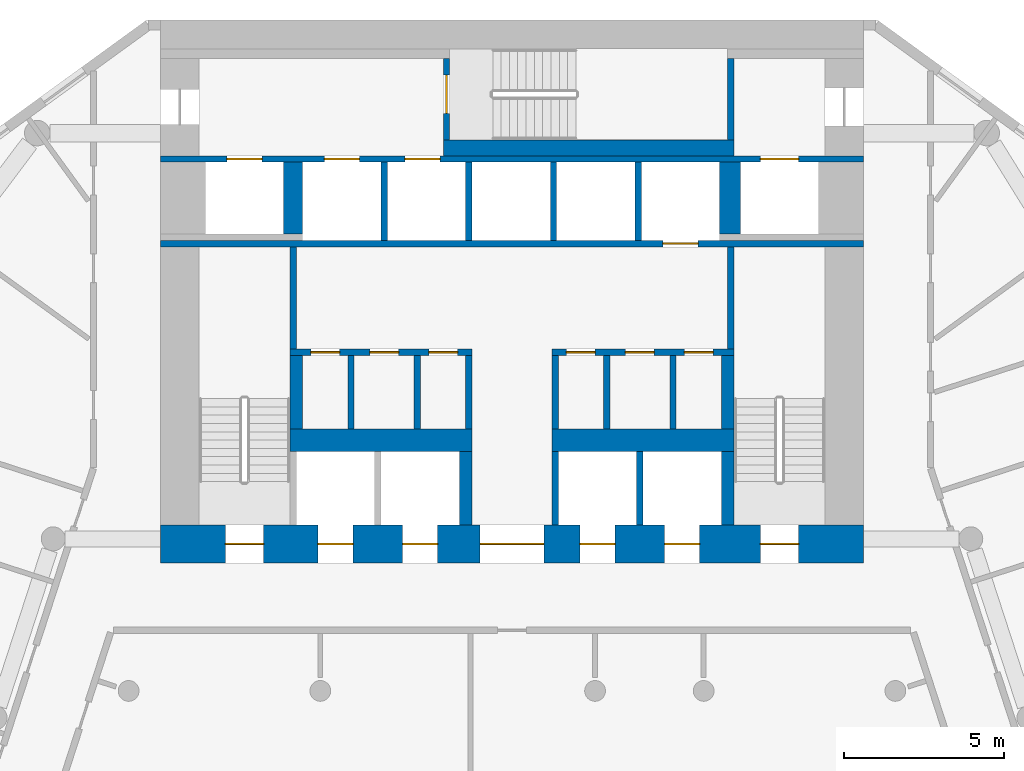
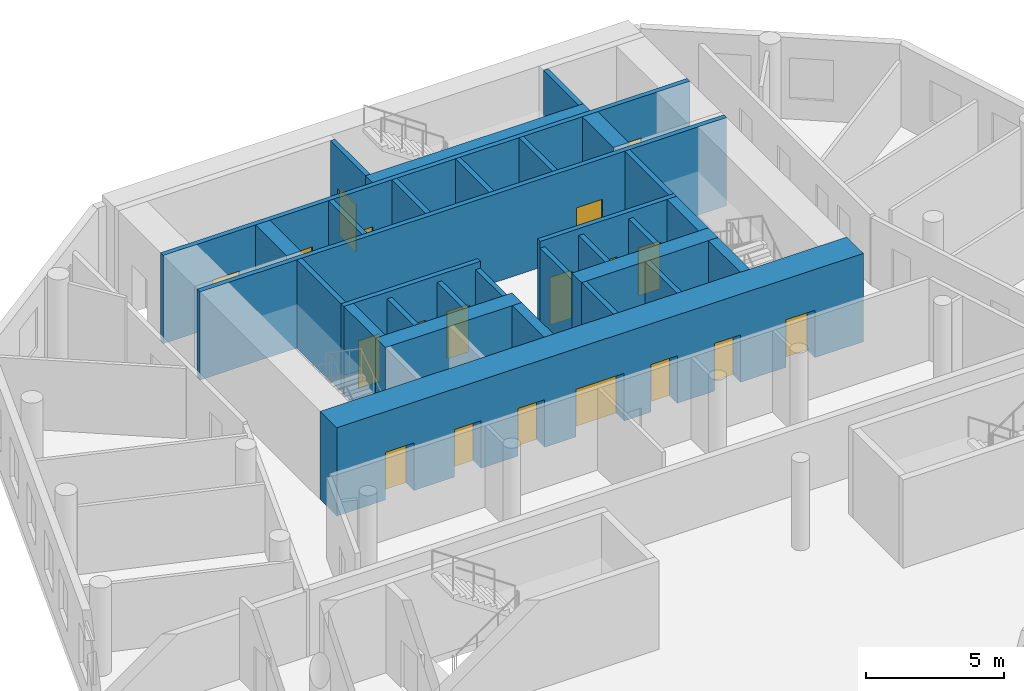
# One storey, part 5 of 9: 30 walls, 19 doors, 19 openings.
"""IFC4 building model written with IfcOpenShell, lengths in metres."""

import ifcopenshell
import ifcopenshell.guid

model = None  # the IFC model being written
_history = None  # IfcOwnerHistory: only IFC2X3 demands one
_inside = {}  # id of a spatial element -> (the spatial element, [elements in it])
_under = {}  # id of a project, library or spatial element -> (it, [spatial elements below it])
_declared = {}  # id of a project -> (the project, [libraries it declares])
_typed = {}  # id of a type object -> (the type object, [elements of that type])
_made_of = {}  # id of a material, layer set ... -> (it, [elements and type objects made of it])


def new_model(schema):
    """Start an empty IFC model of exactly this schema.

    Asked for "IFC4X3", IfcOpenShell would pick the latest addendum, in which some entities
    have other attributes; the version numbers below select the first issue.
    IFC2X3 requires an IfcOwnerHistory on every rooted entity: one is made here for all.
    """
    global model, _history
    if schema == "IFC4X3":
        model = ifcopenshell.file(schema_version=(4, 3, 0, 0))
    else:
        model = ifcopenshell.file(schema=schema)
    _inside.clear()
    _under.clear()
    _declared.clear()
    _typed.clear()
    _made_of.clear()
    _history = None
    if model.schema == "IFC2X3":
        org = make("IfcOrganization", Name="unknown")
        user = make(
            "IfcPersonAndOrganization",
            ThePerson=make("IfcPerson", FamilyName="unknown"),
            TheOrganization=org,
        )
        app = make(
            "IfcApplication",
            ApplicationDeveloper=org,
            Version="unknown",
            ApplicationFullName="unknown",
            ApplicationIdentifier="unknown",
        )
        _history = make(
            "IfcOwnerHistory",
            OwningUser=user,
            OwningApplication=app,
            ChangeAction="ADDED",
            CreationDate=0,
        )
    return model


def make(cls, **values):
    """One entity of the class cls with the attributes given. An attribute that is None is left unset."""
    return model.create_entity(
        cls, **{name: value for name, value in values.items() if value is not None}
    )


def rooted(cls, **values):
    """An entity with a GlobalId (a new one), such as an element, a storey or a relation."""
    return make(cls, GlobalId=ifcopenshell.guid.new(), OwnerHistory=_history, **values)


def si_unit(unit_type, name, prefix=None):
    """IfcSIUnit, for example si_unit("LENGTHUNIT", "METRE", prefix="MILLI")."""
    return make("IfcSIUnit", UnitType=unit_type, Prefix=prefix, Name=name)


def assignment(units):
    """IfcUnitAssignment: the units of a project."""
    return None if units is None else make("IfcUnitAssignment", Units=units)


def point(xyz):
    """IfcCartesianPoint."""
    return None if xyz is None else make("IfcCartesianPoint", Coordinates=xyz)


def direction(xyz):
    """IfcDirection."""
    return None if xyz is None else make("IfcDirection", DirectionRatios=xyz)


def frame(location, z_axis=None, x_axis=None):
    """IfcAxis2Placement3D, a coordinate frame: its origin and axes. An axis left out is left unset."""
    return make(
        "IfcAxis2Placement3D",
        Location=point(location),
        Axis=direction(z_axis),
        RefDirection=direction(x_axis),
    )


def frame_2d(location, x_axis=None):
    """IfcAxis2Placement2D, a coordinate frame in the plane: its origin and x axis."""
    return make(
        "IfcAxis2Placement2D", Location=point(location), RefDirection=direction(x_axis)
    )


def origin():
    """The frame at (0, 0, 0) with its axes left unset."""
    return frame((0.0, 0.0, 0.0))


def place(relative_to, where):
    """IfcLocalPlacement: puts the frame where relative to a parent placement (None: the world)."""
    return make(
        "IfcLocalPlacement", PlacementRelTo=relative_to, RelativePlacement=where
    )


def context(
    kind, dimensions, precision=None, world=None, true_north=None, identifier=None
):
    """IfcGeometricRepresentationContext, for example the 3D "Model" context."""
    return make(
        "IfcGeometricRepresentationContext",
        ContextIdentifier=identifier,
        ContextType=kind,
        CoordinateSpaceDimension=dimensions,
        Precision=precision,
        WorldCoordinateSystem=world,
        TrueNorth=true_north,
    )


def subcontext(parent, identifier, kind, view, scale=None):
    """IfcGeometricRepresentationSubContext, for example "Body" below "Model"."""
    return make(
        "IfcGeometricRepresentationSubContext",
        ContextIdentifier=identifier,
        ContextType=kind,
        ParentContext=parent,
        TargetScale=scale,
        TargetView=view,
    )


def project(units=None, contexts=None):
    """IfcProject with its units and contexts."""
    return rooted(
        "IfcProject",
        Name="project",
        RepresentationContexts=contexts,
        UnitsInContext=assignment(units),
    )


def spatial(cls, under=None, at=None, **own):
    """A site, building, storey or space (cls), placed at a placement, below another one or the project."""
    s = rooted(cls, ObjectPlacement=at, **own)
    if under is not None:
        _under.setdefault(under.id(), (under, []))[1].append(s)
    return s


def profile(cls, at=None, kind="AREA", **sizes):
    """A parametric profile (cls). Its sizes go by their IFC names, for example OverallWidth=200.0."""
    return make(cls, ProfileType=kind, Position=at, **sizes)


def rectangle(**sizes):
    """IfcRectangleProfileDef."""
    return profile("IfcRectangleProfileDef", **sizes)


def extrude(swept, where, along, depth):
    """IfcExtrudedAreaSolid: the profile swept, set in the frame where, extruded along a direction by depth."""
    return make(
        "IfcExtrudedAreaSolid",
        SweptArea=swept,
        Position=where,
        ExtrudedDirection=direction(along),
        Depth=depth,
    )


def shape(context_of_items, identifier, shape_type, items):
    """IfcShapeRepresentation: the items that make up one representation, for example the "Body"."""
    return make(
        "IfcShapeRepresentation",
        ContextOfItems=context_of_items,
        RepresentationIdentifier=identifier,
        RepresentationType=shape_type,
        Items=items,
    )


def material(Name=None, Category=None):
    """IfcMaterial."""
    return make("IfcMaterial", Name=Name, Category=Category)


def layer(
    of_material, thickness, ventilated=None, Name=None, Category=None, Priority=None
):
    """IfcMaterialLayer: one layer of a wall or slab, of a material (None: an air gap)."""
    return make(
        "IfcMaterialLayer",
        Material=of_material,
        LayerThickness=thickness,
        IsVentilated=ventilated,
        Name=Name,
        Category=Category,
        Priority=Priority,
    )


def layer_set(layers, Name=None):
    """IfcMaterialLayerSet."""
    return make("IfcMaterialLayerSet", MaterialLayers=layers, LayerSetName=Name)


def made_of(thing, what):
    """Note that an element or type object is made of a material, layer set ...; save() writes the relation."""
    if what is not None:
        _made_of.setdefault(what.id(), (what, []))[1].append(thing)
    return thing


def type_object(cls, material=None, **own):
    """A type object (cls), such as IfcWallType, which elements share."""
    return made_of(rooted(cls, **own), material)


def element(
    cls,
    number,
    at=None,
    inside=None,
    cuts=None,
    type_object=None,
    material=None,
    context=None,
    identifier="Body",
    shape_type=None,
    held_by="IfcProductDefinitionShape",
    body=None,
    shapes=None,
    **own,
):
    """One element of the class cls, such as IfcWall. Its Tag is "e" and its number.

    at: its placement. inside: the storey or other place that contains it. cuts: it is an
    opening in that element (IfcRelVoidsElement). A single representation is given by context,
    identifier, shape_type and body (its items); several are given by shapes. held_by: the class
    of the entity that holds the representations. save() writes the other relations.
    """
    e = rooted(cls, Tag="e%d" % number, ObjectPlacement=at, **own)
    if body is not None:
        shapes = [shape(context, identifier, shape_type, body)]
    if shapes is not None:
        e.Representation = make(held_by, Representations=shapes)
    if inside is not None:
        _inside.setdefault(inside.id(), (inside, []))[1].append(e)
    if cuts is not None:
        rooted(
            "IfcRelVoidsElement", RelatingBuildingElement=cuts, RelatedOpeningElement=e
        )
    if type_object is not None:
        _typed.setdefault(type_object.id(), (type_object, []))[1].append(e)
    return made_of(e, material)


def fill(opening, filler):
    """IfcRelFillsElement: the door or window that sits in an opening."""
    return rooted(
        "IfcRelFillsElement",
        RelatingOpeningElement=opening,
        RelatedBuildingElement=filler,
    )


def aggregate(whole, parts):
    """IfcRelAggregates: a whole, such as a stair, and the parts it consists of."""
    return rooted("IfcRelAggregates", RelatingObject=whole, RelatedObjects=parts)


def save(model, path):
    """Write the relations noted so far, then the file.

    IfcRelAggregates (storeys below a building ...), IfcRelContainedInSpatialStructure (elements
    in a storey), IfcRelDefinesByType, IfcRelAssociatesMaterial and IfcRelDeclares: one each for
    every whole, place, type object, material and project.
    """
    for whole, parts in _under.values():
        aggregate(whole, parts)
    for where, things in _inside.values():
        rooted(
            "IfcRelContainedInSpatialStructure",
            RelatedElements=things,
            RelatingStructure=where,
        )
    for kind, things in _typed.values():
        rooted("IfcRelDefinesByType", RelatedObjects=things, RelatingType=kind)
    for what, things in _made_of.values():
        rooted("IfcRelAssociatesMaterial", RelatedObjects=things, RelatingMaterial=what)
    for by, libraries in _declared.values():
        rooted("IfcRelDeclares", RelatingContext=by, RelatedDefinitions=libraries)
    model.write(path)


model = new_model("IFC4")

# Units and contexts
model_context = context("Model", 3, precision=1e-05, world=origin(), true_north=direction((0.0, 1.0)))
body_context = subcontext(model_context, "Body", "Model", "MODEL_VIEW")
ifc_project = project(units=[si_unit("LENGTHUNIT", "METRE"), si_unit("AREAUNIT", "SQUARE_METRE"), si_unit("VOLUMEUNIT", "CUBIC_METRE"), si_unit("PLANEANGLEUNIT", "RADIAN"), si_unit("MASSUNIT", "GRAM", prefix="KILO")], contexts=[model_context])

# Site, building, storey
site_placement = place(None, origin())
site = spatial("IfcSite", under=ifc_project, at=site_placement, CompositionType="ELEMENT")
building_placement = place(site_placement, origin())
building = spatial("IfcBuilding", under=site, at=building_placement, Name="White Candle Pilgrim Tower", CompositionType="ELEMENT")
storey_placement = place(building_placement, frame((0.0, 0.0, 58.5)))
storey = spatial("IfcBuildingStorey", under=building, at=storey_placement, Name="L11", CompositionType="ELEMENT", Elevation=58.5)

# Wall, openings, doors
ifc_material_1 = material(Name="Concrete C70/85", Category="concrete")
ifc_layer_1 = layer(ifc_material_1, 0.199951171875)
ifc_layer_set_1 = layer_set([ifc_layer_1], Name="Core wall 200 mm Concrete C70/85")
wall_type_1 = type_object("IfcWallType", Name="Core wall 200 mm Concrete C70/85", PredefinedType="SHEAR", material=ifc_layer_set_1)
wall_1_placement = place(storey_placement, frame((59.0, 83.64990234375, 0.0), z_axis=(0.0, 0.0, 1.0), x_axis=(1.0, 0.0, 0.0)))
wall_1 = element("IfcWall", 1, at=wall_1_placement, inside=storey, type_object=wall_type_1, Name="WL-L11-C45", PredefinedType="SHEAR", context=body_context, shape_type="SweptSolid", body=[
    extrude(rectangle(XDim=22.0, YDim=0.199951171875, at=frame_2d((11.0, 0.0))), origin(), (0.0, 0.0, 1.0), 3.89990234375),
])
opening_1_placement = place(wall_1_placement, frame((5.125, 0.0, 0.0)))
opening_1 = element("IfcOpeningElement", 2, at=opening_1_placement, cuts=wall_1, Name="Opening T03-011", PredefinedType="OPENING", context=body_context, shape_type="SweptSolid", body=[
    extrude(rectangle(XDim=1.10009765625, YDim=2.10009765625, at=frame_2d((0.550048828125, 1.050048828125))), frame((0.0, 0.10986328125, 0.0), z_axis=(0.0, -1.0, 0.0), x_axis=(1.0, 0.0, 0.0)), (0.0, 0.0, 1.0), 0.219970703125),
])
opening_2_placement = place(wall_1_placement, frame((7.64990234375, 0.0, 0.0)))
opening_2 = element("IfcOpeningElement", 3, at=opening_2_placement, cuts=wall_1, Name="Opening T03-012", PredefinedType="OPENING", context=body_context, shape_type="SweptSolid", body=[
    extrude(rectangle(XDim=1.10009765625, YDim=2.10009765625, at=frame_2d((0.550048828125, 1.050048828125))), frame((0.0, 0.10986328125, 0.0), z_axis=(0.0, -1.0, 0.0), x_axis=(1.0, 0.0, 0.0)), (0.0, 0.0, 1.0), 0.219970703125),
])
opening_3_placement = place(wall_1_placement, frame((18.77490234375, 0.0, 0.0)))
opening_3 = element("IfcOpeningElement", 4, at=opening_3_placement, cuts=wall_1, Name="Opening T03-018", PredefinedType="OPENING", context=body_context, shape_type="SweptSolid", body=[
    extrude(rectangle(XDim=1.199951171875, YDim=2.10009765625, at=frame_2d((0.60009765625, 1.050048828125))), frame((0.0, 0.10986328125, 0.0), z_axis=(0.0, -1.0, 0.0), x_axis=(1.0, 0.0, 0.0)), (0.0, 0.0, 1.0), 0.219970703125),
])
opening_4_placement = place(wall_1_placement, frame((2.074951171875, 0.0, 0.0)))
opening_4 = element("IfcOpeningElement", 5, at=opening_4_placement, cuts=wall_1, Name="Opening T03-019", PredefinedType="OPENING", context=body_context, shape_type="SweptSolid", body=[
    extrude(rectangle(XDim=1.10009765625, YDim=2.10009765625, at=frame_2d((0.550048828125, 1.050048828125))), frame((0.0, 0.10986328125, 0.0), z_axis=(0.0, -1.0, 0.0), x_axis=(1.0, 0.0, 0.0)), (0.0, 0.0, 1.0), 0.219970703125),
])
ifc_material_2 = material(Name="Stainless steel", Category="steel")
door_type_1 = type_object("IfcDoorType", Name="Lift landing door 1100 x 2100 EI 60", OperationType="DOUBLE_DOOR_SLIDING", PredefinedType="DOOR", material=ifc_material_2)
door_1_placement = place(opening_1_placement, origin())
door_1 = element("IfcDoor", 6, at=door_1_placement, inside=storey, type_object=door_type_1, Name="Door T03-011", OperationType="DOUBLE_DOOR_SLIDING", OverallHeight=2.10009765625, OverallWidth=1.10009765625, PredefinedType="DOOR", context=body_context, shape_type="SweptSolid", body=[
    extrude(rectangle(XDim=1.10009765625, YDim=2.10009765625, at=frame_2d((0.550048828125, 1.050048828125))), frame((0.0, 0.02490234375, 0.0), z_axis=(0.0, -1.0, 0.0), x_axis=(1.0, 0.0, 0.0)), (0.0, 0.0, 1.0), 0.050048828125),
])
fill(opening_1, door_1)
door_2_placement = place(opening_2_placement, origin())
door_2 = element("IfcDoor", 7, at=door_2_placement, inside=storey, type_object=door_type_1, Name="Door T03-012", OperationType="DOUBLE_DOOR_SLIDING", OverallHeight=2.10009765625, OverallWidth=1.10009765625, PredefinedType="DOOR", context=body_context, shape_type="SweptSolid", body=[
    extrude(rectangle(XDim=1.10009765625, YDim=2.10009765625, at=frame_2d((0.550048828125, 1.050048828125))), frame((0.0, 0.02490234375, 0.0), z_axis=(0.0, -1.0, 0.0), x_axis=(1.0, 0.0, 0.0)), (0.0, 0.0, 1.0), 0.050048828125),
])
fill(opening_2, door_2)
door_3_placement = place(opening_4_placement, origin())
door_3 = element("IfcDoor", 8, at=door_3_placement, inside=storey, type_object=door_type_1, Name="Door T03-019", OperationType="DOUBLE_DOOR_SLIDING", OverallHeight=2.10009765625, OverallWidth=1.10009765625, PredefinedType="DOOR", context=body_context, shape_type="SweptSolid", body=[
    extrude(rectangle(XDim=1.10009765625, YDim=2.10009765625, at=frame_2d((0.550048828125, 1.050048828125))), frame((0.0, 0.02490234375, 0.0), z_axis=(0.0, -1.0, 0.0), x_axis=(1.0, 0.0, 0.0)), (0.0, 0.0, 1.0), 0.050048828125),
])
fill(opening_4, door_3)
door_type_2 = type_object("IfcDoorType", Name="Lift landing door 1200 x 2100 E 60", OperationType="DOUBLE_DOOR_SLIDING", PredefinedType="DOOR", material=ifc_material_2)
door_4_placement = place(opening_3_placement, origin())
door_4 = element("IfcDoor", 9, at=door_4_placement, inside=storey, type_object=door_type_2, Name="Door T03-018", OperationType="DOUBLE_DOOR_SLIDING", OverallHeight=2.10009765625, OverallWidth=1.199951171875, PredefinedType="DOOR", context=body_context, shape_type="SweptSolid", body=[
    extrude(rectangle(XDim=1.199951171875, YDim=2.10009765625, at=frame_2d((0.60009765625, 1.050048828125))), frame((0.0, 0.02490234375, 0.0), z_axis=(0.0, -1.0, 0.0), x_axis=(1.0, 0.0, 0.0)), (0.0, 0.0, 1.0), 0.050048828125),
])
fill(opening_3, door_4)

# Walls
ifc_material_3 = material(Name="Gypsum board on steel studs", Category="steel")
ifc_layer_2 = layer(ifc_material_3, 0.199951171875)
ifc_layer_set_2 = layer_set([ifc_layer_2], Name="Lobby wall 200 mm EI 60")
wall_type_2 = type_object("IfcWallType", Name="Lobby wall 200 mm EI 60", PredefinedType="PARTITIONING", material=ifc_layer_set_2)
for number, where, z_axis, x_axis, name in (
    (10, (64.9599609375, 75.199951171875, 0.0), (0.0, 0.0, 1.0), (0.0, 1.0, 0.0), "WL-L11-C23"),
    (11, (67.0400390625, 75.199951171875, 0.0), (0.0, 0.0, 1.0), (0.0, 1.0, 0.0), "WL-L11-C24"),
    (12, (68.64990234375, 75.199951171875, 0.0), (0.0, 0.0, 1.0), (0.0, 1.0, 0.0), "WL-L11-C25"),
    (13, (71.35009765625, 75.199951171875, 0.0), (0.0, 0.0, 1.0), (0.0, 1.0, 0.0), "WL-L11-C26"),
    (14, (72.9599609375, 75.199951171875, 0.0), (0.0, 0.0, 1.0), (0.0, 1.0, 0.0), "WL-L11-C27"),
    (15, (75.0400390625, 75.199951171875, 0.0), (0.0, 0.0, 1.0), (0.0, 1.0, 0.0), "WL-L11-C28"),
):
    element("IfcWall", number, at=place(storey_placement, frame(where, z_axis=z_axis, x_axis=x_axis)), inside=storey, type_object=wall_type_2, Name=name, PredefinedType="PARTITIONING", context=body_context, shape_type="SweptSolid", body=[
        extrude(rectangle(XDim=2.300048828125, YDim=0.199951171875, at=frame_2d((1.14990234375, 0.0))), origin(), (0.0, 0.0, 1.0), 3.60009765625),
    ])
ifc_layer_3 = layer(ifc_material_1, 0.199951171875)
ifc_layer_set_3 = layer_set([ifc_layer_3], Name="Shaft wall 200 mm Concrete C70/85")
wall_type_3 = type_object("IfcWallType", Name="Shaft wall 200 mm Concrete C70/85", PredefinedType="SHEAR", material=ifc_layer_set_3)
for number, where, z_axis, x_axis, name in (
    (16, (71.35009765625, 72.199951171875, 0.0), (0.0, 0.0, 1.0), (0.0, 1.0, 0.0), "WL-L11-C16"),
    (17, (74.0, 72.199951171875, 0.0), (0.0, 0.0, 1.0), (0.0, 1.0, 0.0), "WL-L11-C17"),
):
    element("IfcWall", number, at=place(storey_placement, frame(where, z_axis=z_axis, x_axis=x_axis)), inside=storey, type_object=wall_type_3, Name=name, PredefinedType="SHEAR", context=body_context, shape_type="SweptSolid", body=[
        extrude(rectangle(XDim=2.300048828125, YDim=0.199951171875, at=frame_2d((1.14990234375, 0.0))), origin(), (0.0, 0.0, 1.0), 3.89990234375),
    ])
for number, where, z_axis, x_axis, name in (
    (18, (66.0, 81.10009765625, 0.0), (0.0, 0.0, 1.0), (0.0, 1.0, 0.0), "WL-L11-C36"),
    (19, (68.64990234375, 81.10009765625, 0.0), (0.0, 0.0, 1.0), (0.0, 1.0, 0.0), "WL-L11-C37"),
    (20, (71.300048828125, 81.10009765625, 0.0), (0.0, 0.0, 1.0), (0.0, 1.0, 0.0), "WL-L11-C38"),
    (21, (73.949951171875, 81.10009765625, 0.0), (0.0, 0.0, 1.0), (0.0, 1.0, 0.0), "WL-L11-C39"),
):
    element("IfcWall", number, at=place(storey_placement, frame(where, z_axis=z_axis, x_axis=x_axis)), inside=storey, type_object=wall_type_3, Name=name, PredefinedType="SHEAR", context=body_context, shape_type="SweptSolid", body=[
        extrude(rectangle(XDim=2.449951171875, YDim=0.199951171875, at=frame_2d((1.22509765625, 0.0))), origin(), (0.0, 0.0, 1.0), 3.89990234375),
    ])
ifc_layer_4 = layer(ifc_material_1, 0.39990234375)
ifc_layer_set_4 = layer_set([ifc_layer_4], Name="Shaft wall 400 mm Concrete C70/85")
wall_type_4 = type_object("IfcWallType", Name="Shaft wall 400 mm Concrete C70/85", PredefinedType="SHEAR", material=ifc_layer_set_4)
wall_2_placement = place(storey_placement, frame((68.550048828125, 72.199951171875, 0.0), z_axis=(0.0, 0.0, 1.0), x_axis=(0.0, 1.0, 0.0)))
element("IfcWall", 22, at=wall_2_placement, inside=storey, type_object=wall_type_4, Name="WL-L11-C15", PredefinedType="SHEAR", context=body_context, shape_type="SweptSolid", body=[
    extrude(rectangle(XDim=2.300048828125, YDim=0.39990234375, at=frame_2d((1.14990234375, 0.0))), origin(), (0.0, 0.0, 1.0), 3.89990234375),
])
ifc_layer_5 = layer(ifc_material_1, 0.60009765625)
ifc_layer_set_5 = layer_set([ifc_layer_5], Name="Shaft wall 600 mm Concrete C70/85")
wall_type_5 = type_object("IfcWallType", Name="Shaft wall 600 mm Concrete C70/85", PredefinedType="SHEAR", material=ifc_layer_set_5)
wall_3_placement = place(storey_placement, frame((63.14990234375, 81.300048828125, 0.0), z_axis=(0.0, 0.0, 1.0), x_axis=(0.0, 1.0, 0.0)))
element("IfcWall", 23, at=wall_3_placement, inside=storey, type_object=wall_type_5, Name="WL-L11-C42", PredefinedType="SHEAR", context=body_context, shape_type="SweptSolid", body=[
    extrude(rectangle(XDim=2.25, YDim=0.60009765625, at=frame_2d((1.125, 0.0))), origin(), (0.0, 0.0, 1.0), 3.89990234375),
])
ifc_layer_6 = layer(ifc_material_1, 0.64990234375)
ifc_layer_set_6 = layer_set([ifc_layer_6], Name="Shaft wall 650 mm Concrete C70/85")
wall_type_6 = type_object("IfcWallType", Name="Shaft wall 650 mm Concrete C70/85", PredefinedType="SHEAR", material=ifc_layer_set_6)
wall_4_placement = place(storey_placement, frame((76.824951171875, 81.300048828125, 0.0), z_axis=(0.0, 0.0, 1.0), x_axis=(0.0, 1.0, 0.0)))
element("IfcWall", 24, at=wall_4_placement, inside=storey, type_object=wall_type_6, Name="WL-L11-C43", PredefinedType="SHEAR", context=body_context, shape_type="SweptSolid", body=[
    extrude(rectangle(XDim=2.25, YDim=0.64990234375, at=frame_2d((1.125, 0.0))), origin(), (0.0, 0.0, 1.0), 3.89990234375),
])

# Wall, openings, doors
ifc_layer_7 = layer(ifc_material_1, 1.199951171875)
ifc_layer_set_7 = layer_set([ifc_layer_7], Name="Stair shaft wall 1200 mm Concrete C70/85")
wall_type_7 = type_object("IfcWallType", Name="Stair shaft wall 1200 mm Concrete C70/85", PredefinedType="SHEAR", material=ifc_layer_set_7)
wall_5_placement = place(storey_placement, frame((59.0, 71.60009765625, 0.0), z_axis=(0.0, 0.0, 1.0), x_axis=(1.0, 0.0, 0.0)))
wall_5 = element("IfcWall", 25, at=wall_5_placement, inside=storey, type_object=wall_type_7, Name="WL-L11-C11", PredefinedType="SHEAR", context=body_context, shape_type="SweptSolid", body=[
    extrude(rectangle(XDim=22.0, YDim=1.199951171875, at=frame_2d((11.0, 0.0))), origin(), (0.0, 0.0, 1.0), 3.89990234375),
])
opening_5_placement = place(wall_5_placement, frame((2.02490234375, 0.0, 0.0)))
opening_5 = element("IfcOpeningElement", 26, at=opening_5_placement, cuts=wall_5, Name="Opening T03-001", PredefinedType="OPENING", context=body_context, shape_type="SweptSolid", body=[
    extrude(rectangle(XDim=1.199951171875, YDim=2.10009765625, at=frame_2d((0.60009765625, 1.050048828125))), frame((0.0, 0.60986328125, 0.0), z_axis=(0.0, -1.0, 0.0), x_axis=(1.0, 0.0, 0.0)), (0.0, 0.0, 1.0), 1.219970703125),
])
opening_6_placement = place(wall_5_placement, frame((18.77490234375, 0.0, 0.0)))
opening_6 = element("IfcOpeningElement", 27, at=opening_6_placement, cuts=wall_5, Name="Opening T03-002", PredefinedType="OPENING", context=body_context, shape_type="SweptSolid", body=[
    extrude(rectangle(XDim=1.199951171875, YDim=2.10009765625, at=frame_2d((0.60009765625, 1.050048828125))), frame((0.0, 0.60986328125, 0.0), z_axis=(0.0, -1.0, 0.0), x_axis=(1.0, 0.0, 0.0)), (0.0, 0.0, 1.0), 1.219970703125),
])
opening_7_placement = place(wall_5_placement, frame((10.0, 0.0, 0.0)))
opening_7 = element("IfcOpeningElement", 28, at=opening_7_placement, cuts=wall_5, Name="Opening T03-004", PredefinedType="OPENING", context=body_context, shape_type="SweptSolid", body=[
    extrude(rectangle(XDim=2.0, YDim=2.10009765625, at=frame_2d((1.0, 1.050048828125))), frame((0.0, 0.60986328125, 0.0), z_axis=(0.0, -1.0, 0.0), x_axis=(1.0, 0.0, 0.0)), (0.0, 0.0, 1.0), 1.219970703125),
])
opening_8_placement = place(wall_5_placement, frame((4.925048828125, 0.0, 0.0)))
opening_8 = element("IfcOpeningElement", 29, at=opening_8_placement, cuts=wall_5, Name="Opening T03-014", PredefinedType="OPENING", context=body_context, shape_type="SweptSolid", body=[
    extrude(rectangle(XDim=1.10009765625, YDim=2.10009765625, at=frame_2d((0.550048828125, 1.050048828125))), frame((0.0, 0.60986328125, 0.0), z_axis=(0.0, -1.0, 0.0), x_axis=(1.0, 0.0, 0.0)), (0.0, 0.0, 1.0), 1.219970703125),
])
opening_9_placement = place(wall_5_placement, frame((7.574951171875, 0.0, 0.0)))
opening_9 = element("IfcOpeningElement", 30, at=opening_9_placement, cuts=wall_5, Name="Opening T03-015", PredefinedType="OPENING", context=body_context, shape_type="SweptSolid", body=[
    extrude(rectangle(XDim=1.10009765625, YDim=2.10009765625, at=frame_2d((0.550048828125, 1.050048828125))), frame((0.0, 0.60986328125, 0.0), z_axis=(0.0, -1.0, 0.0), x_axis=(1.0, 0.0, 0.0)), (0.0, 0.0, 1.0), 1.219970703125),
])
opening_10_placement = place(wall_5_placement, frame((13.125, 0.0, 0.0)))
opening_10 = element("IfcOpeningElement", 31, at=opening_10_placement, cuts=wall_5, Name="Opening T03-016", PredefinedType="OPENING", context=body_context, shape_type="SweptSolid", body=[
    extrude(rectangle(XDim=1.10009765625, YDim=2.10009765625, at=frame_2d((0.550048828125, 1.050048828125))), frame((0.0, 0.60986328125, 0.0), z_axis=(0.0, -1.0, 0.0), x_axis=(1.0, 0.0, 0.0)), (0.0, 0.0, 1.0), 1.219970703125),
])
opening_11_placement = place(wall_5_placement, frame((15.77490234375, 0.0, 0.0)))
opening_11 = element("IfcOpeningElement", 32, at=opening_11_placement, cuts=wall_5, Name="Opening T03-017", PredefinedType="OPENING", context=body_context, shape_type="SweptSolid", body=[
    extrude(rectangle(XDim=1.10009765625, YDim=2.10009765625, at=frame_2d((0.550048828125, 1.050048828125))), frame((0.0, 0.60986328125, 0.0), z_axis=(0.0, -1.0, 0.0), x_axis=(1.0, 0.0, 0.0)), (0.0, 0.0, 1.0), 1.219970703125),
])
ifc_material_4 = material(Name="Steel door leaf", Category="steel")
door_type_3 = type_object("IfcDoorType", Name="Fire door 1200 x 2100 EI 60", OperationType="NOTDEFINED", PredefinedType="DOOR", material=ifc_material_4)
door_5_placement = place(opening_5_placement, frame((1.199951171875, 0.0, 0.0), z_axis=(0.0, 0.0, 1.0), x_axis=(-1.0, 0.0, 0.0)))
door_5 = element("IfcDoor", 33, at=door_5_placement, inside=storey, type_object=door_type_3, Name="Door T03-001", OperationType="SINGLE_SWING_RIGHT", OverallHeight=2.10009765625, OverallWidth=1.199951171875, PredefinedType="DOOR", context=body_context, shape_type="SweptSolid", body=[
    extrude(rectangle(XDim=1.199951171875, YDim=2.10009765625, at=frame_2d((0.60009765625, 1.050048828125))), frame((0.0, 0.02490234375, 0.0), z_axis=(0.0, -1.0, 0.0), x_axis=(1.0, 0.0, 0.0)), (0.0, 0.0, 1.0), 0.050048828125),
])
fill(opening_5, door_5)
door_6_placement = place(opening_6_placement, frame((1.199951171875, 0.0, 0.0), z_axis=(0.0, 0.0, 1.0), x_axis=(-1.0, 0.0, 0.0)))
door_6 = element("IfcDoor", 34, at=door_6_placement, inside=storey, type_object=door_type_3, Name="Door T03-002", OperationType="SINGLE_SWING_LEFT", OverallHeight=2.10009765625, OverallWidth=1.199951171875, PredefinedType="DOOR", context=body_context, shape_type="SweptSolid", body=[
    extrude(rectangle(XDim=1.199951171875, YDim=2.10009765625, at=frame_2d((0.60009765625, 1.050048828125))), frame((0.0, 0.02490234375, 0.0), z_axis=(0.0, -1.0, 0.0), x_axis=(1.0, 0.0, 0.0)), (0.0, 0.0, 1.0), 0.050048828125),
])
fill(opening_6, door_6)
door_type_4 = type_object("IfcDoorType", Name="Fire door 2000 x 2100 EI 60", OperationType="NOTDEFINED", PredefinedType="DOOR", material=ifc_material_4)
door_7_placement = place(opening_7_placement, frame((2.0, 0.0, 0.0), z_axis=(0.0, 0.0, 1.0), x_axis=(-1.0, 0.0, 0.0)))
door_7 = element("IfcDoor", 35, at=door_7_placement, inside=storey, type_object=door_type_4, Name="Door T03-004", OperationType="DOUBLE_DOOR_SINGLE_SWING", OverallHeight=2.10009765625, OverallWidth=2.0, PredefinedType="DOOR", context=body_context, shape_type="SweptSolid", body=[
    extrude(rectangle(XDim=2.0, YDim=2.10009765625, at=frame_2d((1.0, 1.050048828125))), frame((0.0, 0.02490234375, 0.0), z_axis=(0.0, -1.0, 0.0), x_axis=(1.0, 0.0, 0.0)), (0.0, 0.0, 1.0), 0.050048828125),
])
fill(opening_7, door_7)
door_type_5 = type_object("IfcDoorType", Name="Lift landing door 1100 x 2100 E 60", OperationType="DOUBLE_DOOR_SLIDING", PredefinedType="DOOR", material=ifc_material_2)
door_8_placement = place(opening_8_placement, origin())
door_8 = element("IfcDoor", 36, at=door_8_placement, inside=storey, type_object=door_type_5, Name="Door T03-014", OperationType="DOUBLE_DOOR_SLIDING", OverallHeight=2.10009765625, OverallWidth=1.10009765625, PredefinedType="DOOR", context=body_context, shape_type="SweptSolid", body=[
    extrude(rectangle(XDim=1.10009765625, YDim=2.10009765625, at=frame_2d((0.550048828125, 1.050048828125))), frame((0.0, 0.02490234375, 0.0), z_axis=(0.0, -1.0, 0.0), x_axis=(1.0, 0.0, 0.0)), (0.0, 0.0, 1.0), 0.050048828125),
])
fill(opening_8, door_8)
door_9_placement = place(opening_9_placement, origin())
door_9 = element("IfcDoor", 37, at=door_9_placement, inside=storey, type_object=door_type_5, Name="Door T03-015", OperationType="DOUBLE_DOOR_SLIDING", OverallHeight=2.10009765625, OverallWidth=1.10009765625, PredefinedType="DOOR", context=body_context, shape_type="SweptSolid", body=[
    extrude(rectangle(XDim=1.10009765625, YDim=2.10009765625, at=frame_2d((0.550048828125, 1.050048828125))), frame((0.0, 0.02490234375, 0.0), z_axis=(0.0, -1.0, 0.0), x_axis=(1.0, 0.0, 0.0)), (0.0, 0.0, 1.0), 0.050048828125),
])
fill(opening_9, door_9)
door_10_placement = place(opening_10_placement, origin())
door_10 = element("IfcDoor", 38, at=door_10_placement, inside=storey, type_object=door_type_5, Name="Door T03-016", OperationType="DOUBLE_DOOR_SLIDING", OverallHeight=2.10009765625, OverallWidth=1.10009765625, PredefinedType="DOOR", context=body_context, shape_type="SweptSolid", body=[
    extrude(rectangle(XDim=1.10009765625, YDim=2.10009765625, at=frame_2d((0.550048828125, 1.050048828125))), frame((0.0, 0.02490234375, 0.0), z_axis=(0.0, -1.0, 0.0), x_axis=(1.0, 0.0, 0.0)), (0.0, 0.0, 1.0), 0.050048828125),
])
fill(opening_10, door_10)
door_11_placement = place(opening_11_placement, origin())
door_11 = element("IfcDoor", 39, at=door_11_placement, inside=storey, type_object=door_type_5, Name="Door T03-017", OperationType="DOUBLE_DOOR_SLIDING", OverallHeight=2.10009765625, OverallWidth=1.10009765625, PredefinedType="DOOR", context=body_context, shape_type="SweptSolid", body=[
    extrude(rectangle(XDim=1.10009765625, YDim=2.10009765625, at=frame_2d((0.550048828125, 1.050048828125))), frame((0.0, 0.02490234375, 0.0), z_axis=(0.0, -1.0, 0.0), x_axis=(1.0, 0.0, 0.0)), (0.0, 0.0, 1.0), 0.050048828125),
])
fill(opening_11, door_11)

ifc_layer_8 = layer(ifc_material_1, 0.199951171875)
ifc_layer_set_8 = layer_set([ifc_layer_8], Name="Stair shaft wall 200 mm Concrete C70/85")
wall_type_8 = type_object("IfcWallType", Name="Stair shaft wall 200 mm Concrete C70/85", PredefinedType="SHEAR", material=ifc_layer_set_8)
wall_6_placement = place(storey_placement, frame((63.050048828125, 77.60009765625, 0.0), z_axis=(0.0, 0.0, 1.0), x_axis=(1.0, 0.0, 0.0)))
wall_6 = element("IfcWall", 40, at=wall_6_placement, inside=storey, type_object=wall_type_8, Name="WL-L11-C30", PredefinedType="SHEAR", context=body_context, shape_type="SweptSolid", body=[
    extrude(rectangle(XDim=5.699951171875, YDim=0.199951171875, at=frame_2d((2.85009765625, 0.0))), origin(), (0.0, 0.0, 1.0), 3.89990234375),
])
opening_12_placement = place(wall_6_placement, frame((0.655029296875, 0.0, 0.0)))
opening_12 = element("IfcOpeningElement", 41, at=opening_12_placement, cuts=wall_6, Name="Opening T03-020", PredefinedType="OPENING", context=body_context, shape_type="SweptSolid", body=[
    extrude(rectangle(XDim=0.89990234375, YDim=2.10009765625, at=frame_2d((0.449951171875, 1.050048828125))), frame((0.0, 0.10986328125, 0.0), z_axis=(0.0, -1.0, 0.0), x_axis=(1.0, 0.0, 0.0)), (0.0, 0.0, 1.0), 0.219970703125),
])
opening_13_placement = place(wall_6_placement, frame((2.5, 0.0, 0.0)))
opening_13 = element("IfcOpeningElement", 42, at=opening_13_placement, cuts=wall_6, Name="Opening T03-021", PredefinedType="OPENING", context=body_context, shape_type="SweptSolid", body=[
    extrude(rectangle(XDim=0.89990234375, YDim=2.10009765625, at=frame_2d((0.449951171875, 1.050048828125))), frame((0.0, 0.10986328125, 0.0), z_axis=(0.0, -1.0, 0.0), x_axis=(1.0, 0.0, 0.0)), (0.0, 0.0, 1.0), 0.219970703125),
])
opening_14_placement = place(wall_6_placement, frame((4.344970703125, 0.0, 0.0)))
opening_14 = element("IfcOpeningElement", 43, at=opening_14_placement, cuts=wall_6, Name="Opening T03-022", PredefinedType="OPENING", context=body_context, shape_type="SweptSolid", body=[
    extrude(rectangle(XDim=0.89990234375, YDim=2.10009765625, at=frame_2d((0.449951171875, 1.050048828125))), frame((0.0, 0.10986328125, 0.0), z_axis=(0.0, -1.0, 0.0), x_axis=(1.0, 0.0, 0.0)), (0.0, 0.0, 1.0), 0.219970703125),
])
door_type_6 = type_object("IfcDoorType", Name="Fire door 900 x 2100 EI 30", OperationType="NOTDEFINED", PredefinedType="DOOR", material=ifc_material_4)
door_12_placement = place(opening_12_placement, origin())
door_12 = element("IfcDoor", 44, at=door_12_placement, inside=storey, type_object=door_type_6, Name="Door T03-020", OperationType="SINGLE_SWING_RIGHT", OverallHeight=2.10009765625, OverallWidth=0.89990234375, PredefinedType="DOOR", context=body_context, shape_type="SweptSolid", body=[
    extrude(rectangle(XDim=0.89990234375, YDim=2.10009765625, at=frame_2d((0.449951171875, 1.050048828125))), frame((0.0, 0.02490234375, 0.0), z_axis=(0.0, -1.0, 0.0), x_axis=(1.0, 0.0, 0.0)), (0.0, 0.0, 1.0), 0.050048828125),
])
fill(opening_12, door_12)
door_13_placement = place(opening_13_placement, origin())
door_13 = element("IfcDoor", 45, at=door_13_placement, inside=storey, type_object=door_type_6, Name="Door T03-021", OperationType="SINGLE_SWING_LEFT", OverallHeight=2.10009765625, OverallWidth=0.89990234375, PredefinedType="DOOR", context=body_context, shape_type="SweptSolid", body=[
    extrude(rectangle(XDim=0.89990234375, YDim=2.10009765625, at=frame_2d((0.449951171875, 1.050048828125))), frame((0.0, 0.02490234375, 0.0), z_axis=(0.0, -1.0, 0.0), x_axis=(1.0, 0.0, 0.0)), (0.0, 0.0, 1.0), 0.050048828125),
])
fill(opening_13, door_13)
door_14_placement = place(opening_14_placement, origin())
door_14 = element("IfcDoor", 46, at=door_14_placement, inside=storey, type_object=door_type_6, Name="Door T03-022", OperationType="SINGLE_SWING_RIGHT", OverallHeight=2.10009765625, OverallWidth=0.89990234375, PredefinedType="DOOR", context=body_context, shape_type="SweptSolid", body=[
    extrude(rectangle(XDim=0.89990234375, YDim=2.10009765625, at=frame_2d((0.449951171875, 1.050048828125))), frame((0.0, 0.02490234375, 0.0), z_axis=(0.0, -1.0, 0.0), x_axis=(1.0, 0.0, 0.0)), (0.0, 0.0, 1.0), 0.050048828125),
])
fill(opening_14, door_14)

wall_7_placement = place(storey_placement, frame((71.25, 77.60009765625, 0.0), z_axis=(0.0, 0.0, 1.0), x_axis=(1.0, 0.0, 0.0)))
wall_7 = element("IfcWall", 47, at=wall_7_placement, inside=storey, type_object=wall_type_8, Name="WL-L11-C31", PredefinedType="SHEAR", context=body_context, shape_type="SweptSolid", body=[
    extrude(rectangle(XDim=5.699951171875, YDim=0.199951171875, at=frame_2d((2.85009765625, 0.0))), origin(), (0.0, 0.0, 1.0), 3.89990234375),
])
opening_15_placement = place(wall_7_placement, frame((0.455078125, 0.0, 0.0)))
opening_15 = element("IfcOpeningElement", 48, at=opening_15_placement, cuts=wall_7, Name="Opening T03-023", PredefinedType="OPENING", context=body_context, shape_type="SweptSolid", body=[
    extrude(rectangle(XDim=0.89990234375, YDim=2.10009765625, at=frame_2d((0.449951171875, 1.050048828125))), frame((0.0, 0.10986328125, 0.0), z_axis=(0.0, -1.0, 0.0), x_axis=(1.0, 0.0, 0.0)), (0.0, 0.0, 1.0), 0.219970703125),
])
opening_16_placement = place(wall_7_placement, frame((2.300048828125, 0.0, 0.0)))
opening_16 = element("IfcOpeningElement", 49, at=opening_16_placement, cuts=wall_7, Name="Opening T03-024", PredefinedType="OPENING", context=body_context, shape_type="SweptSolid", body=[
    extrude(rectangle(XDim=0.89990234375, YDim=2.10009765625, at=frame_2d((0.449951171875, 1.050048828125))), frame((0.0, 0.10986328125, 0.0), z_axis=(0.0, -1.0, 0.0), x_axis=(1.0, 0.0, 0.0)), (0.0, 0.0, 1.0), 0.219970703125),
])
opening_17_placement = place(wall_7_placement, frame((4.14501953125, 0.0, 0.0)))
opening_17 = element("IfcOpeningElement", 50, at=opening_17_placement, cuts=wall_7, Name="Opening T03-025", PredefinedType="OPENING", context=body_context, shape_type="SweptSolid", body=[
    extrude(rectangle(XDim=0.89990234375, YDim=2.10009765625, at=frame_2d((0.449951171875, 1.050048828125))), frame((0.0, 0.10986328125, 0.0), z_axis=(0.0, -1.0, 0.0), x_axis=(1.0, 0.0, 0.0)), (0.0, 0.0, 1.0), 0.219970703125),
])
door_15_placement = place(opening_15_placement, origin())
door_15 = element("IfcDoor", 51, at=door_15_placement, inside=storey, type_object=door_type_6, Name="Door T03-023", OperationType="SINGLE_SWING_LEFT", OverallHeight=2.10009765625, OverallWidth=0.89990234375, PredefinedType="DOOR", context=body_context, shape_type="SweptSolid", body=[
    extrude(rectangle(XDim=0.89990234375, YDim=2.10009765625, at=frame_2d((0.449951171875, 1.050048828125))), frame((0.0, 0.02490234375, 0.0), z_axis=(0.0, -1.0, 0.0), x_axis=(1.0, 0.0, 0.0)), (0.0, 0.0, 1.0), 0.050048828125),
])
fill(opening_15, door_15)
door_16_placement = place(opening_16_placement, origin())
door_16 = element("IfcDoor", 52, at=door_16_placement, inside=storey, type_object=door_type_6, Name="Door T03-024", OperationType="SINGLE_SWING_RIGHT", OverallHeight=2.10009765625, OverallWidth=0.89990234375, PredefinedType="DOOR", context=body_context, shape_type="SweptSolid", body=[
    extrude(rectangle(XDim=0.89990234375, YDim=2.10009765625, at=frame_2d((0.449951171875, 1.050048828125))), frame((0.0, 0.02490234375, 0.0), z_axis=(0.0, -1.0, 0.0), x_axis=(1.0, 0.0, 0.0)), (0.0, 0.0, 1.0), 0.050048828125),
])
fill(opening_16, door_16)
door_17_placement = place(opening_17_placement, origin())
door_17 = element("IfcDoor", 53, at=door_17_placement, inside=storey, type_object=door_type_6, Name="Door T03-025", OperationType="SINGLE_SWING_LEFT", OverallHeight=2.10009765625, OverallWidth=0.89990234375, PredefinedType="DOOR", context=body_context, shape_type="SweptSolid", body=[
    extrude(rectangle(XDim=0.89990234375, YDim=2.10009765625, at=frame_2d((0.449951171875, 1.050048828125))), frame((0.0, 0.02490234375, 0.0), z_axis=(0.0, -1.0, 0.0), x_axis=(1.0, 0.0, 0.0)), (0.0, 0.0, 1.0), 0.050048828125),
])
fill(opening_17, door_17)

# Walls
for number, where, z_axis, x_axis, name in (
    (54, (63.14990234375, 77.699951171875, 0.0), (0.0, 0.0, 1.0), (0.0, 1.0, 0.0), "WL-L11-C32"),
    (55, (76.85009765625, 77.699951171875, 0.0), (0.0, 0.0, 1.0), (0.0, 1.0, 0.0), "WL-L11-C33"),
):
    element("IfcWall", number, at=place(storey_placement, frame(where, z_axis=z_axis, x_axis=x_axis)), inside=storey, type_object=wall_type_8, Name=name, PredefinedType="SHEAR", context=body_context, shape_type="SweptSolid", body=[
        extrude(rectangle(XDim=3.199951171875, YDim=0.199951171875, at=frame_2d((1.60009765625, 0.0))), origin(), (0.0, 0.0, 1.0), 3.89990234375),
    ])

# Wall, opening, door
wall_8_placement = place(storey_placement, frame((59.0, 81.0, 0.0), z_axis=(0.0, 0.0, 1.0), x_axis=(1.0, 0.0, 0.0)))
wall_8 = element("IfcWall", 56, at=wall_8_placement, inside=storey, type_object=wall_type_8, Name="WL-L11-C34", PredefinedType="SHEAR", context=body_context, shape_type="SweptSolid", body=[
    extrude(rectangle(XDim=22.0, YDim=0.199951171875, at=frame_2d((11.0, 0.0))), origin(), (0.0, 0.0, 1.0), 3.89990234375),
])
opening_18_placement = place(wall_8_placement, frame((15.72509765625, 0.0, 0.0)))
opening_18 = element("IfcOpeningElement", 57, at=opening_18_placement, cuts=wall_8, Name="Opening T03-013", PredefinedType="OPENING", context=body_context, shape_type="SweptSolid", body=[
    extrude(rectangle(XDim=1.10009765625, YDim=2.10009765625, at=frame_2d((0.550048828125, 1.050048828125))), frame((0.0, 0.10986328125, 0.0), z_axis=(0.0, -1.0, 0.0), x_axis=(1.0, 0.0, 0.0)), (0.0, 0.0, 1.0), 0.219970703125),
])
door_18_placement = place(opening_18_placement, origin())
door_18 = element("IfcDoor", 58, at=door_18_placement, inside=storey, type_object=door_type_5, Name="Door T03-013", OperationType="DOUBLE_DOOR_SLIDING", OverallHeight=2.10009765625, OverallWidth=1.10009765625, PredefinedType="DOOR", context=body_context, shape_type="SweptSolid", body=[
    extrude(rectangle(XDim=1.10009765625, YDim=2.10009765625, at=frame_2d((0.550048828125, 1.050048828125))), frame((0.0, 0.02490234375, 0.0), z_axis=(0.0, -1.0, 0.0), x_axis=(1.0, 0.0, 0.0)), (0.0, 0.0, 1.0), 0.050048828125),
])
fill(opening_18, door_18)

wall_9_placement = place(storey_placement, frame((67.949951171875, 84.25, 0.0), z_axis=(0.0, 0.0, 1.0), x_axis=(0.0, 1.0, 0.0)))
wall_9 = element("IfcWall", 59, at=wall_9_placement, inside=storey, type_object=wall_type_8, Name="WL-L11-C49", PredefinedType="SHEAR", context=body_context, shape_type="SweptSolid", body=[
    extrude(rectangle(XDim=2.550048828125, YDim=0.199951171875, at=frame_2d((1.27490234375, 0.0))), origin(), (0.0, 0.0, 1.0), 3.89990234375),
])
opening_19_placement = place(wall_9_placement, frame((0.824951171875, 0.0, 0.0)))
opening_19 = element("IfcOpeningElement", 60, at=opening_19_placement, cuts=wall_9, Name="Opening T03-003", PredefinedType="OPENING", context=body_context, shape_type="SweptSolid", body=[
    extrude(rectangle(XDim=1.199951171875, YDim=2.10009765625, at=frame_2d((0.60009765625, 1.050048828125))), frame((0.0, 0.10986328125, 0.0), z_axis=(0.0, -1.0, 0.0), x_axis=(1.0, 0.0, 0.0)), (0.0, 0.0, 1.0), 0.219970703125),
])
door_19_placement = place(opening_19_placement, frame((1.199951171875, 0.0, 0.0), z_axis=(0.0, 0.0, 1.0), x_axis=(-1.0, 0.0, 0.0)))
door_19 = element("IfcDoor", 61, at=door_19_placement, inside=storey, type_object=door_type_3, Name="Door T03-003", OperationType="SINGLE_SWING_RIGHT", OverallHeight=2.10009765625, OverallWidth=1.199951171875, PredefinedType="DOOR", context=body_context, shape_type="SweptSolid", body=[
    extrude(rectangle(XDim=1.199951171875, YDim=2.10009765625, at=frame_2d((0.60009765625, 1.050048828125))), frame((0.0, 0.02490234375, 0.0), z_axis=(0.0, -1.0, 0.0), x_axis=(1.0, 0.0, 0.0)), (0.0, 0.0, 1.0), 0.050048828125),
])
fill(opening_19, door_19)

# Walls
wall_10_placement = place(storey_placement, frame((76.85009765625, 84.25, 0.0), z_axis=(0.0, 0.0, 1.0), x_axis=(0.0, 1.0, 0.0)))
element("IfcWall", 62, at=wall_10_placement, inside=storey, type_object=wall_type_8, Name="WL-L11-C50", PredefinedType="SHEAR", context=body_context, shape_type="SweptSolid", body=[
    extrude(rectangle(XDim=2.550048828125, YDim=0.199951171875, at=frame_2d((1.27490234375, 0.0))), origin(), (0.0, 0.0, 1.0), 3.89990234375),
])
ifc_layer_9 = layer(ifc_material_1, 0.39990234375)
ifc_layer_set_9 = layer_set([ifc_layer_9], Name="Stair shaft wall 400 mm Concrete C70/85")
wall_type_9 = type_object("IfcWallType", Name="Stair shaft wall 400 mm Concrete C70/85", PredefinedType="SHEAR", material=ifc_layer_set_9)
for number, where, z_axis, x_axis, name in (
    (63, (76.75, 72.199951171875, 0.0), (0.0, 0.0, 1.0), (0.0, 1.0, 0.0), "WL-L11-C18"),
    (64, (63.25, 75.199951171875, 0.0), (0.0, 0.0, 1.0), (0.0, 1.0, 0.0), "WL-L11-C22"),
    (65, (76.75, 75.199951171875, 0.0), (0.0, 0.0, 1.0), (0.0, 1.0, 0.0), "WL-L11-C29"),
):
    element("IfcWall", number, at=place(storey_placement, frame(where, z_axis=z_axis, x_axis=x_axis)), inside=storey, type_object=wall_type_9, Name=name, PredefinedType="SHEAR", context=body_context, shape_type="SweptSolid", body=[
        extrude(rectangle(XDim=2.300048828125, YDim=0.39990234375, at=frame_2d((1.14990234375, 0.0))), origin(), (0.0, 0.0, 1.0), 3.89990234375),
    ])
ifc_layer_10 = layer(ifc_material_1, 0.5)
ifc_layer_set_10 = layer_set([ifc_layer_10], Name="Stair shaft wall 500 mm Concrete C70/85")
wall_type_10 = type_object("IfcWallType", Name="Stair shaft wall 500 mm Concrete C70/85", PredefinedType="SHEAR", material=ifc_layer_set_10)
wall_11_placement = place(storey_placement, frame((67.85009765625, 84.0, 0.0), z_axis=(0.0, 0.0, 1.0), x_axis=(1.0, 0.0, 0.0)))
element("IfcWall", 66, at=wall_11_placement, inside=storey, type_object=wall_type_10, Name="WL-L11-C47", PredefinedType="SHEAR", context=body_context, shape_type="SweptSolid", body=[
    extrude(rectangle(XDim=9.099853515625, YDim=0.5, at=frame_2d((4.5498046875, 0.0))), origin(), (0.0, 0.0, 1.0), 3.89990234375),
])
ifc_layer_11 = layer(ifc_material_1, 0.699951171875)
ifc_layer_set_11 = layer_set([ifc_layer_11], Name="Stair shaft wall 700 mm Concrete C70/85")
wall_type_11 = type_object("IfcWallType", Name="Stair shaft wall 700 mm Concrete C70/85", PredefinedType="SHEAR", material=ifc_layer_set_11)
for number, where, z_axis, x_axis, name in (
    (67, (63.050048828125, 74.85009765625, 0.0), (0.0, 0.0, 1.0), (1.0, 0.0, 0.0), "WL-L11-C20"),
    (68, (71.25, 74.85009765625, 0.0), (0.0, 0.0, 1.0), (1.0, 0.0, 0.0), "WL-L11-C21"),
):
    element("IfcWall", number, at=place(storey_placement, frame(where, z_axis=z_axis, x_axis=x_axis)), inside=storey, type_object=wall_type_11, Name=name, PredefinedType="SHEAR", context=body_context, shape_type="SweptSolid", body=[
        extrude(rectangle(XDim=5.699951171875, YDim=0.699951171875, at=frame_2d((2.85009765625, 0.0))), origin(), (0.0, 0.0, 1.0), 3.89990234375),
    ])

save(model, "model.ifc")
